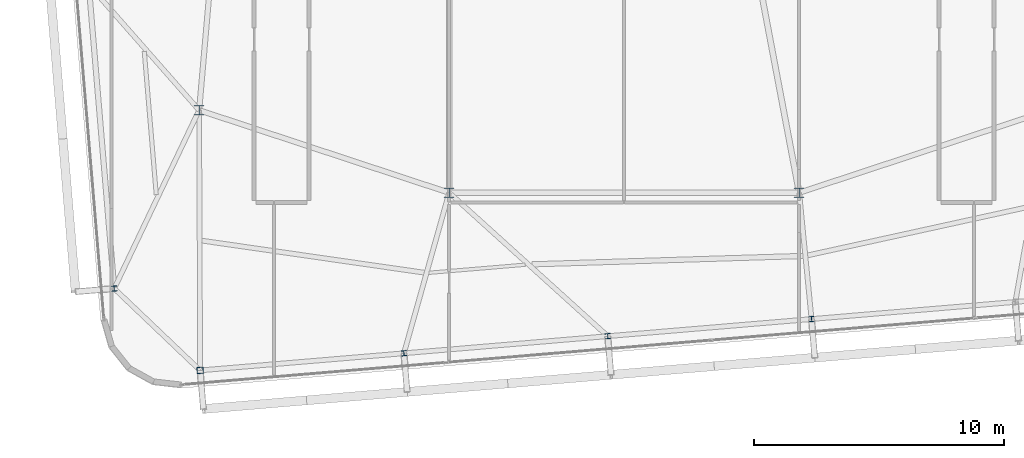
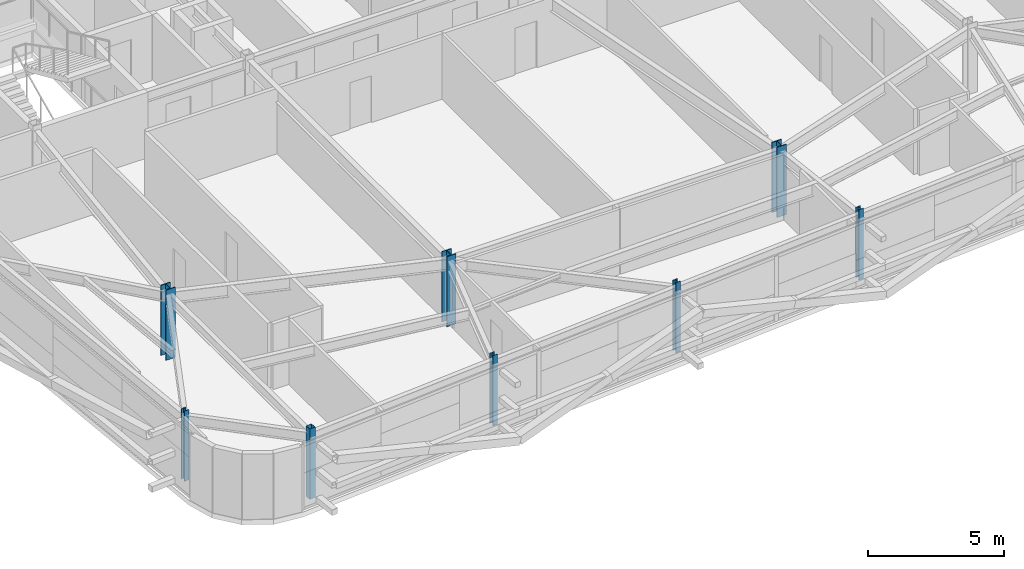
# One storey, part 1 of 39: 8 columns.
"""IFC4 building model written with IfcOpenShell, lengths in metres."""

from ifc_helpers import new_model, si_unit, direction, frame, origin, origin_2d, place, context, subcontext, project, spatial, hollow_rectangle, i_section, extrude, source, transform, mapped, material, material_profile, profile_set, type_object, element, save


model = new_model("IFC4")

# Units and contexts
model_context = context("Model", 3, precision=1e-05, world=origin(), true_north=direction((0.0, 1.0)))
body_context = subcontext(model_context, "Body", "Model", "MODEL_VIEW")
ifc_project = project(units=[si_unit("LENGTHUNIT", "METRE"), si_unit("AREAUNIT", "SQUARE_METRE"), si_unit("VOLUMEUNIT", "CUBIC_METRE"), si_unit("PLANEANGLEUNIT", "RADIAN"), si_unit("MASSUNIT", "GRAM", prefix="KILO")], contexts=[model_context])

# Site, building, storey
site_placement = place(None, origin())
site = spatial("IfcSite", under=ifc_project, at=site_placement, CompositionType="ELEMENT")
building_placement = place(site_placement, origin())
building = spatial("IfcBuilding", under=site, at=building_placement, Name="Taldren Reach Tower", CompositionType="ELEMENT")
storey_placement = place(building_placement, frame((0.0, 0.0, 175.699951171875)))
storey = spatial("IfcBuildingStorey", under=building, at=storey_placement, Name="L53", CompositionType="ELEMENT", Elevation=175.699951171875)

# Columns
ifc_material_1 = material(Name="Steel Gr 350 (350PLUS)", Category="steel")
ifc_material_profile_1 = material_profile(ifc_material_1, i_section(OverallWidth=0.39990234375, OverallDepth=0.39599609375, WebThickness=0.02197265625, FlangeThickness=0.033935546875, at=origin_2d()), Name="400WC270")
ifc_profile_set_1 = profile_set([ifc_material_profile_1], Name="Steel Gr 350 (350PLUS)")
column_type_1 = type_object("IfcColumnType", Name="COL-WC400", PredefinedType="COLUMN", material=ifc_profile_set_1)
shared_shape_1 = source(origin(), body_context, "Body", "SweptSolid", [
    extrude(i_section(OverallWidth=0.39990234375, OverallDepth=0.39599609375, WebThickness=0.02197265625, FlangeThickness=0.033935546875, at=origin_2d()), origin(), (0.0, 0.0, 1.0), 3.150146484375),
])
for number, where, z_axis, x_axis, name in (
    (1, (28.0, 9.199951171875, 0.0), (0.0, 0.0, 1.0), (1.0, 0.0, 0.0), "Mega column MC-PJW L53"),
    (2, (42.0, 9.199951171875, 0.0), (0.0, 0.0, 1.0), (1.0, 0.0, 0.0), "Mega column MC-PJE L53"),
    (3, (18.0, 12.5, 0.0), (0.0, 0.0, 1.0), (1.0, 0.0, 0.0), "Mega column MC-SW L53"),
):
    element("IfcColumn", number, at=place(storey_placement, frame(where, z_axis=z_axis, x_axis=x_axis)), inside=storey, type_object=column_type_1, Name=name, PredefinedType="COLUMN", context=body_context, shape_type="MappedRepresentation", body=[
        mapped(shared_shape_1, transform((0.0, 0.0, 0.0), scale=1.0)),
    ])
ifc_material_2 = material(Name="Steel Gr 350 (C350L0)", Category="steel")
ifc_material_profile_2 = material_profile(ifc_material_2, hollow_rectangle(XDim=0.25, YDim=0.25, WallThickness=0.010009765625, at=origin_2d()), Name="250x250x10.0SHS")
ifc_profile_set_2 = profile_set([ifc_material_profile_2], Name="Steel Gr 350 (C350L0)")
column_type_2 = type_object("IfcColumnType", Name="COL-SHS250", PredefinedType="COLUMN", material=ifc_profile_set_2)
shared_shape_2 = source(origin(), body_context, "Body", "SweptSolid", [
    extrude(hollow_rectangle(XDim=0.25, YDim=0.25, WallThickness=0.010009765625, at=origin_2d()), origin(), (0.0, 0.0, 1.0), 3.150146484375),
])
column_placement = place(storey_placement, frame((18.03955078125, 2.093994140625, 0.0), z_axis=(0.0, 0.0, 1.0), x_axis=(0.99649285925, 0.083677843332, 0.0)))
element("IfcColumn", 4, at=column_placement, inside=storey, type_object=column_type_2, Name="Block B4 perimeter column S1 L53", PredefinedType="COLUMN", context=body_context, shape_type="MappedRepresentation", body=[
    mapped(shared_shape_2, transform((0.0, 0.0, 0.0), scale=1.0)),
])
ifc_material_profile_3 = material_profile(ifc_material_1, i_section(OverallWidth=0.205078125, OverallDepth=0.2099609375, WebThickness=0.00927734375, FlangeThickness=0.01416015625, at=origin_2d()), Name="200UC59.5")
ifc_profile_set_3 = profile_set([ifc_material_profile_3], Name="Steel Gr 350 (350PLUS)")
column_type_3 = type_object("IfcColumnType", Name="COL-UC200", PredefinedType="COLUMN", material=ifc_profile_set_3)
shared_shape_3 = source(origin(), body_context, "Body", "SweptSolid", [
    extrude(i_section(OverallWidth=0.205078125, OverallDepth=0.2099609375, WebThickness=0.00927734375, FlangeThickness=0.01416015625, at=origin_2d()), origin(), (0.0, 0.0, 1.0), 3.150146484375),
])
for number, where, z_axis, x_axis, name in (
    (5, (26.19091796875, 2.778564453125, 0.0), (0.0, 0.0, 1.0), (0.99649285925, 0.083677843332, 0.0), "Block B4 perimeter column S2 L53"),
    (6, (34.34228515625, 3.462890625, 0.0), (0.0, 0.0, 1.0), (0.99649285925, 0.083677843332, 0.0), "Block B4 perimeter column S3 L53"),
    (7, (42.49365234375, 4.1474609375, 0.0), (0.0, 0.0, 1.0), (0.99649285925, 0.083677843332, 0.0), "Block B4 perimeter column S4 L53"),
    (8, (14.603759765625, 5.367919921875, 0.0), (0.0, 0.0, 1.0), (0.99649285925, 0.083677843332, 0.0), "Block B4 perimeter column W1 L53"),
):
    element("IfcColumn", number, at=place(storey_placement, frame(where, z_axis=z_axis, x_axis=x_axis)), inside=storey, type_object=column_type_3, Name=name, PredefinedType="COLUMN", context=body_context, shape_type="MappedRepresentation", body=[
        mapped(shared_shape_3, transform((0.0, 0.0, 0.0), scale=1.0)),
    ])

save(model, "model.ifc")
